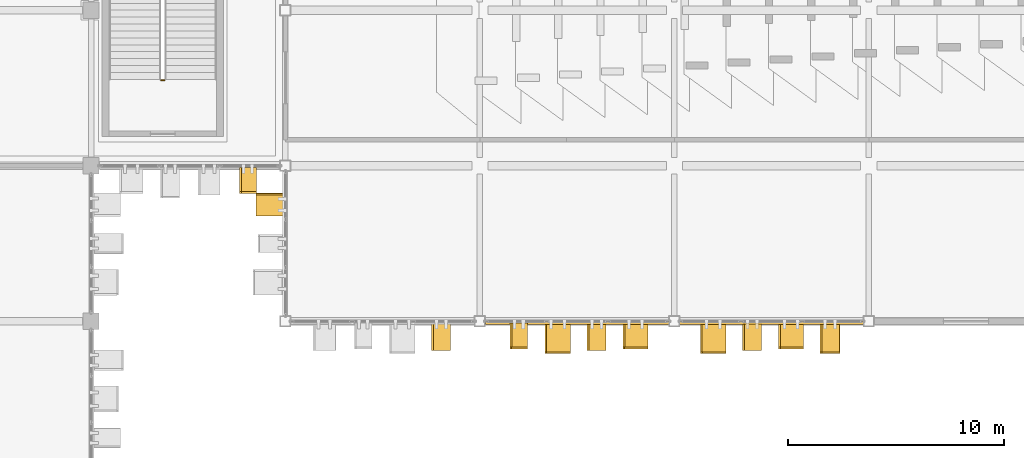
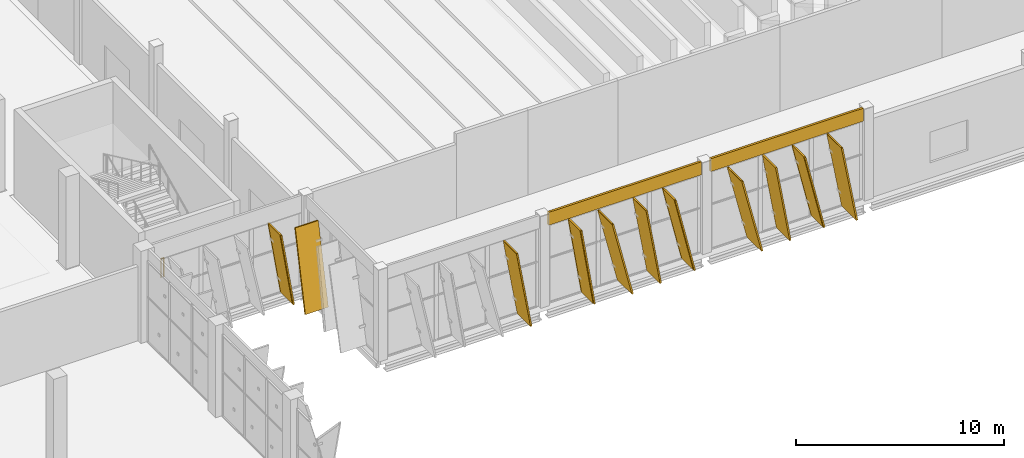
# One storey, part 175 of 189: 13 coverings, 11 shading devices, 1 railing.
"""IFC4 building model written with IfcOpenShell, lengths in metres."""

import ifcopenshell
import ifcopenshell.guid

model = None  # the IFC model being written
_history = None  # IfcOwnerHistory: only IFC2X3 demands one
_inside = {}  # id of a spatial element -> (the spatial element, [elements in it])
_under = {}  # id of a project, library or spatial element -> (it, [spatial elements below it])
_declared = {}  # id of a project -> (the project, [libraries it declares])
_typed = {}  # id of a type object -> (the type object, [elements of that type])
_made_of = {}  # id of a material, layer set ... -> (it, [elements and type objects made of it])


def new_model(schema):
    """Start an empty IFC model of exactly this schema.

    Asked for "IFC4X3", IfcOpenShell would pick the latest addendum, in which some entities
    have other attributes; the version numbers below select the first issue.
    IFC2X3 requires an IfcOwnerHistory on every rooted entity: one is made here for all.
    """
    global model, _history
    if schema == "IFC4X3":
        model = ifcopenshell.file(schema_version=(4, 3, 0, 0))
    else:
        model = ifcopenshell.file(schema=schema)
    _inside.clear()
    _under.clear()
    _declared.clear()
    _typed.clear()
    _made_of.clear()
    _history = None
    if model.schema == "IFC2X3":
        org = make("IfcOrganization", Name="unknown")
        user = make(
            "IfcPersonAndOrganization",
            ThePerson=make("IfcPerson", FamilyName="unknown"),
            TheOrganization=org,
        )
        app = make(
            "IfcApplication",
            ApplicationDeveloper=org,
            Version="unknown",
            ApplicationFullName="unknown",
            ApplicationIdentifier="unknown",
        )
        _history = make(
            "IfcOwnerHistory",
            OwningUser=user,
            OwningApplication=app,
            ChangeAction="ADDED",
            CreationDate=0,
        )
    return model


def make(cls, **values):
    """One entity of the class cls with the attributes given. An attribute that is None is left unset."""
    return model.create_entity(
        cls, **{name: value for name, value in values.items() if value is not None}
    )


def rooted(cls, **values):
    """An entity with a GlobalId (a new one), such as an element, a storey or a relation."""
    return make(cls, GlobalId=ifcopenshell.guid.new(), OwnerHistory=_history, **values)


def si_unit(unit_type, name, prefix=None):
    """IfcSIUnit, for example si_unit("LENGTHUNIT", "METRE", prefix="MILLI")."""
    return make("IfcSIUnit", UnitType=unit_type, Prefix=prefix, Name=name)


def assignment(units):
    """IfcUnitAssignment: the units of a project."""
    return None if units is None else make("IfcUnitAssignment", Units=units)


def point(xyz):
    """IfcCartesianPoint."""
    return None if xyz is None else make("IfcCartesianPoint", Coordinates=xyz)


def direction(xyz):
    """IfcDirection."""
    return None if xyz is None else make("IfcDirection", DirectionRatios=xyz)


def frame(location, z_axis=None, x_axis=None):
    """IfcAxis2Placement3D, a coordinate frame: its origin and axes. An axis left out is left unset."""
    return make(
        "IfcAxis2Placement3D",
        Location=point(location),
        Axis=direction(z_axis),
        RefDirection=direction(x_axis),
    )


def frame_2d(location, x_axis=None):
    """IfcAxis2Placement2D, a coordinate frame in the plane: its origin and x axis."""
    return make(
        "IfcAxis2Placement2D", Location=point(location), RefDirection=direction(x_axis)
    )


def origin():
    """The frame at (0, 0, 0) with its axes left unset."""
    return frame((0.0, 0.0, 0.0))


def origin_2d():
    """The frame at (0, 0) in the plane with its x axis left unset."""
    return frame_2d((0.0, 0.0))


def place(relative_to, where):
    """IfcLocalPlacement: puts the frame where relative to a parent placement (None: the world)."""
    return make(
        "IfcLocalPlacement", PlacementRelTo=relative_to, RelativePlacement=where
    )


def context(
    kind, dimensions, precision=None, world=None, true_north=None, identifier=None
):
    """IfcGeometricRepresentationContext, for example the 3D "Model" context."""
    return make(
        "IfcGeometricRepresentationContext",
        ContextIdentifier=identifier,
        ContextType=kind,
        CoordinateSpaceDimension=dimensions,
        Precision=precision,
        WorldCoordinateSystem=world,
        TrueNorth=true_north,
    )


def subcontext(parent, identifier, kind, view, scale=None):
    """IfcGeometricRepresentationSubContext, for example "Body" below "Model"."""
    return make(
        "IfcGeometricRepresentationSubContext",
        ContextIdentifier=identifier,
        ContextType=kind,
        ParentContext=parent,
        TargetScale=scale,
        TargetView=view,
    )


def project(units=None, contexts=None):
    """IfcProject with its units and contexts."""
    return rooted(
        "IfcProject",
        Name="project",
        RepresentationContexts=contexts,
        UnitsInContext=assignment(units),
    )


def spatial(cls, under=None, at=None, **own):
    """A site, building, storey or space (cls), placed at a placement, below another one or the project."""
    s = rooted(cls, ObjectPlacement=at, **own)
    if under is not None:
        _under.setdefault(under.id(), (under, []))[1].append(s)
    return s


def profile(cls, at=None, kind="AREA", **sizes):
    """A parametric profile (cls). Its sizes go by their IFC names, for example OverallWidth=200.0."""
    return make(cls, ProfileType=kind, Position=at, **sizes)


def rectangle(**sizes):
    """IfcRectangleProfileDef."""
    return profile("IfcRectangleProfileDef", **sizes)


def circle(**sizes):
    """IfcCircleProfileDef."""
    return profile("IfcCircleProfileDef", **sizes)


def extrude(swept, where, along, depth):
    """IfcExtrudedAreaSolid: the profile swept, set in the frame where, extruded along a direction by depth."""
    return make(
        "IfcExtrudedAreaSolid",
        SweptArea=swept,
        Position=where,
        ExtrudedDirection=direction(along),
        Depth=depth,
    )


def shape(context_of_items, identifier, shape_type, items):
    """IfcShapeRepresentation: the items that make up one representation, for example the "Body"."""
    return make(
        "IfcShapeRepresentation",
        ContextOfItems=context_of_items,
        RepresentationIdentifier=identifier,
        RepresentationType=shape_type,
        Items=items,
    )


def material(Name=None, Category=None):
    """IfcMaterial."""
    return make("IfcMaterial", Name=Name, Category=Category)


def layer(
    of_material, thickness, ventilated=None, Name=None, Category=None, Priority=None
):
    """IfcMaterialLayer: one layer of a wall or slab, of a material (None: an air gap)."""
    return make(
        "IfcMaterialLayer",
        Material=of_material,
        LayerThickness=thickness,
        IsVentilated=ventilated,
        Name=Name,
        Category=Category,
        Priority=Priority,
    )


def layer_set(layers, Name=None):
    """IfcMaterialLayerSet."""
    return make("IfcMaterialLayerSet", MaterialLayers=layers, LayerSetName=Name)


def material_profile(
    of_material, cross_section, Name=None, Category=None, Priority=None
):
    """IfcMaterialProfile: a cross section and its material."""
    return make(
        "IfcMaterialProfile",
        Name=Name,
        Material=of_material,
        Profile=cross_section,
        Priority=Priority,
        Category=Category,
    )


def profile_set(profiles, Name=None, composite=None):
    """IfcMaterialProfileSet."""
    return make(
        "IfcMaterialProfileSet",
        Name=Name,
        MaterialProfiles=profiles,
        CompositeProfile=composite,
    )


def made_of(thing, what):
    """Note that an element or type object is made of a material, layer set ...; save() writes the relation."""
    if what is not None:
        _made_of.setdefault(what.id(), (what, []))[1].append(thing)
    return thing


def type_object(cls, material=None, **own):
    """A type object (cls), such as IfcWallType, which elements share."""
    return made_of(rooted(cls, **own), material)


def element(
    cls,
    number,
    at=None,
    inside=None,
    cuts=None,
    type_object=None,
    material=None,
    context=None,
    identifier="Body",
    shape_type=None,
    held_by="IfcProductDefinitionShape",
    body=None,
    shapes=None,
    **own,
):
    """One element of the class cls, such as IfcWall. Its Tag is "e" and its number.

    at: its placement. inside: the storey or other place that contains it. cuts: it is an
    opening in that element (IfcRelVoidsElement). A single representation is given by context,
    identifier, shape_type and body (its items); several are given by shapes. held_by: the class
    of the entity that holds the representations. save() writes the other relations.
    """
    e = rooted(cls, Tag="e%d" % number, ObjectPlacement=at, **own)
    if body is not None:
        shapes = [shape(context, identifier, shape_type, body)]
    if shapes is not None:
        e.Representation = make(held_by, Representations=shapes)
    if inside is not None:
        _inside.setdefault(inside.id(), (inside, []))[1].append(e)
    if cuts is not None:
        rooted(
            "IfcRelVoidsElement", RelatingBuildingElement=cuts, RelatedOpeningElement=e
        )
    if type_object is not None:
        _typed.setdefault(type_object.id(), (type_object, []))[1].append(e)
    return made_of(e, material)


def aggregate(whole, parts):
    """IfcRelAggregates: a whole, such as a stair, and the parts it consists of."""
    return rooted("IfcRelAggregates", RelatingObject=whole, RelatedObjects=parts)


def save(model, path):
    """Write the relations noted so far, then the file.

    IfcRelAggregates (storeys below a building ...), IfcRelContainedInSpatialStructure (elements
    in a storey), IfcRelDefinesByType, IfcRelAssociatesMaterial and IfcRelDeclares: one each for
    every whole, place, type object, material and project.
    """
    for whole, parts in _under.values():
        aggregate(whole, parts)
    for where, things in _inside.values():
        rooted(
            "IfcRelContainedInSpatialStructure",
            RelatedElements=things,
            RelatingStructure=where,
        )
    for kind, things in _typed.values():
        rooted("IfcRelDefinesByType", RelatedObjects=things, RelatingType=kind)
    for what, things in _made_of.values():
        rooted("IfcRelAssociatesMaterial", RelatedObjects=things, RelatingMaterial=what)
    for by, libraries in _declared.values():
        rooted("IfcRelDeclares", RelatingContext=by, RelatedDefinitions=libraries)
    model.write(path)


model = new_model("IFC4")

# Units and contexts
model_context = context("Model", 3, precision=1e-05, world=origin(), true_north=direction((0.0, 1.0)))
body_context = subcontext(model_context, "Body", "Model", "MODEL_VIEW")
ifc_project = project(units=[si_unit("LENGTHUNIT", "METRE"), si_unit("AREAUNIT", "SQUARE_METRE"), si_unit("VOLUMEUNIT", "CUBIC_METRE"), si_unit("PLANEANGLEUNIT", "RADIAN"), si_unit("MASSUNIT", "GRAM", prefix="KILO")], contexts=[model_context])

# Site, building, storey
site_placement = place(None, origin())
site = spatial("IfcSite", under=ifc_project, at=site_placement, CompositionType="ELEMENT")
building_placement = place(site_placement, origin())
building = spatial("IfcBuilding", under=site, at=building_placement, Name="Celestram Park Convention Centre", CompositionType="ELEMENT")
storey_placement = place(building_placement, frame((0.0, 0.0, 5.39990234375)))
storey = spatial("IfcBuildingStorey", under=building, at=storey_placement, Name="L01", CompositionType="ELEMENT", Elevation=5.39990234375)

# Coverings
ifc_material_1 = material(Name="Anodised Bronze Aluminium Spandrel Cladding", Category="aluminium")
ifc_layer_1 = layer(ifc_material_1, 0.050048828125)
ifc_layer_set_1 = layer_set([ifc_layer_1], Name="Anodised Bronze Aluminium Spandrel Cladding")
covering_type_1 = type_object("IfcCoveringType", Name="ARC-COV-CLD060", PredefinedType="CLADDING", material=ifc_layer_set_1)
for number, where, z_axis, x_axis, name in (
    (1, (175.5, 115.1201171875, 4.64404296875), (0.0, 0.0, 1.0), (-1.0, 0.0, 0.0), "Bronze spandrel cladding CL-L01-081"),
    (2, (166.5, 115.1201171875, 4.64404296875), (0.0, 0.0, 1.0), (-1.0, 0.0, 0.0), "Bronze spandrel cladding CL-L01-082"),
):
    element("IfcCovering", number, at=place(storey_placement, frame(where, z_axis=z_axis, x_axis=x_axis)), inside=storey, type_object=covering_type_1, Name=name, PredefinedType="CLADDING", context=body_context, shape_type="SweptSolid", body=[
        extrude(rectangle(XDim=8.50390625, YDim=0.1201171875, at=origin_2d()), origin(), (0.0, 0.0, 1.0), 0.756103515625),
    ])
ifc_material_2 = material(Name="Timber-Toned Anodised Aluminium Alloy 6063-T6", Category="wood")
ifc_material_profile_1 = material_profile(ifc_material_2, rectangle(XDim=1.1201171875, YDim=0.090087890625, at=origin_2d()), Name="REED1120X90")
ifc_profile_set_1 = profile_set([ifc_material_profile_1], Name="Timber-Toned Anodised Aluminium Alloy 6063-T6")
covering_type_2 = type_object("IfcCoveringType", Name="ARC-COV-FIN1120", PredefinedType="CLADDING", material=ifc_profile_set_1)
covering_1_placement = place(storey_placement, frame((176.9345703125, 114.56005859375, 0.06787109375), z_axis=(-0.23170159766, 0.0, 0.97278690865), x_axis=(0.0, -1.0, 0.0)))
element("IfcCovering", 3, at=covering_1_placement, inside=storey, type_object=covering_type_2, Name="Leaning timber-toned reed fin RFN-L01-0239", PredefinedType="CLADDING", context=body_context, shape_type="SweptSolid", body=[
    extrude(rectangle(XDim=1.1201171875, YDim=0.090087890625, at=origin_2d()), origin(), (0.0, 0.0, 1.0), 4.614013671875),
])
covering_2_placement = place(storey_placement, frame((169.734619140625, 114.56005859375, 0.06787109375), z_axis=(-0.231751668114, 0.0, 0.972774981343), x_axis=(0.0, -1.0, 0.0)))
element("IfcCovering", 4, at=covering_2_placement, inside=storey, type_object=covering_type_2, Name="Leaning timber-toned reed fin RFN-L01-0242", PredefinedType="CLADDING", context=body_context, shape_type="SweptSolid", body=[
    extrude(rectangle(XDim=1.1201171875, YDim=0.090087890625, at=origin_2d()), origin(), (0.0, 0.0, 1.0), 4.6142578125),
])
covering_3_placement = place(storey_placement, frame((164.168701171875, 114.56005859375, 0.034912109375), z_axis=(-0.159857948369, 0.0, 0.987140028741), x_axis=(0.0, -1.0, 0.0)))
element("IfcCovering", 5, at=covering_3_placement, inside=storey, type_object=covering_type_2, Name="Leaning timber-toned reed fin RFN-L01-0245", PredefinedType="CLADDING", context=body_context, shape_type="SweptSolid", body=[
    extrude(rectangle(XDim=1.1201171875, YDim=0.090087890625, at=origin_2d()), origin(), (0.0, 0.0, 1.0), 4.61376953125),
])
covering_4_placement = place(storey_placement, frame((151.61083984375, 121.760009765625, 0.033203125), z_axis=(-0.159882320906, 0.0, 0.987136081532), x_axis=(0.0, -1.0, 0.0)))
element("IfcCovering", 6, at=covering_4_placement, inside=storey, type_object=covering_type_2, Name="Leaning timber-toned reed fin RFN-L01-0253", PredefinedType="CLADDING", context=body_context, shape_type="SweptSolid", body=[
    extrude(rectangle(XDim=1.1201171875, YDim=0.090087890625, at=origin_2d()), origin(), (0.0, 0.0, 1.0), 4.358154296875),
])
ifc_material_profile_2 = material_profile(ifc_material_2, rectangle(XDim=1.280029296875, YDim=0.090087890625, at=origin_2d()), Name="REED1280X90")
ifc_profile_set_2 = profile_set([ifc_material_profile_2], Name="Timber-Toned Anodised Aluminium Alloy 6063-T6")
covering_type_3 = type_object("IfcCoveringType", Name="ARC-COV-FIN1280", PredefinedType="CLADDING", material=ifc_profile_set_2)
for number, where, z_axis, x_axis, name in (
    (7, (174.99267578125, 114.47998046875, 0.038818359375), (-0.170222310594, 0.0, 0.98540568548), (0.0, -1.0, 0.0), "Leaning timber-toned reed fin RFN-L01-0240"),
    (8, (167.792724609375, 114.47998046875, 0.038818359375), (-0.170222310594, 0.0, 0.98540568548), (0.0, -1.0, 0.0), "Leaning timber-toned reed fin RFN-L01-0243"),
    (9, (160.5927734375, 114.47998046875, 0.038818359375), (-0.170222310594, 0.0, 0.98540568548), (0.0, -1.0, 0.0), "Leaning timber-toned reed fin RFN-L01-0246"),
    (10, (152.280029296875, 120.116455078125, 0.056396484375), (0.0, 0.209590519643, 0.977789248292), (-1.0, 0.0, 0.0), "Leaning timber-toned reed fin RFN-L01-0252"),
):
    element("IfcCovering", number, at=place(storey_placement, frame(where, z_axis=z_axis, x_axis=x_axis)), inside=storey, type_object=covering_type_3, Name=name, PredefinedType="CLADDING", context=body_context, shape_type="SweptSolid", body=[
        extrude(rectangle(XDim=1.280029296875, YDim=0.090087890625, at=origin_2d()), origin(), (0.0, 0.0, 1.0), 4.614013671875),
    ])
ifc_material_profile_3 = material_profile(ifc_material_2, rectangle(XDim=1.419921875, YDim=0.090087890625, at=origin_2d()), Name="REED1420X90")
ifc_profile_set_3 = profile_set([ifc_material_profile_3], Name="Timber-Toned Anodised Aluminium Alloy 6063-T6")
covering_type_4 = type_object("IfcCoveringType", Name="ARC-COV-FIN1420", PredefinedType="CLADDING", material=ifc_profile_set_3)
covering_5_placement = place(storey_placement, frame((178.616455078125, 114.409912109375, 0.04296875), z_axis=(-0.180533481126, 0.0, 0.98356883958), x_axis=(0.0, -1.0, 0.0)))
element("IfcCovering", 11, at=covering_5_placement, inside=storey, type_object=covering_type_4, Name="Leaning timber-toned reed fin RFN-L01-0238", PredefinedType="CLADDING", context=body_context, shape_type="SweptSolid", body=[
    extrude(rectangle(XDim=1.419921875, YDim=0.090087890625, at=origin_2d()), origin(), (0.0, 0.0, 1.0), 4.6142578125),
])
for number, where, z_axis, x_axis, name in (
    (12, (173.350341796875, 114.409912109375, 0.07177734375), (-0.238536992312, 0.0, 0.971133411689), (0.0, -1.0, 0.0), "Leaning timber-toned reed fin RFN-L01-0241"),
    (13, (166.150390625, 114.409912109375, 0.07177734375), (-0.238536992312, 0.0, 0.971133411689), (0.0, -1.0, 0.0), "Leaning timber-toned reed fin RFN-L01-0244"),
):
    element("IfcCovering", number, at=place(storey_placement, frame(where, z_axis=z_axis, x_axis=x_axis)), inside=storey, type_object=covering_type_4, Name=name, PredefinedType="CLADDING", context=body_context, shape_type="SweptSolid", body=[
        extrude(rectangle(XDim=1.419921875, YDim=0.090087890625, at=origin_2d()), origin(), (0.0, 0.0, 1.0), 4.614013671875),
    ])

# Shading devices
ifc_material_3 = material(Name="Anodised Bronze Aluminium Alloy 6063-T6", Category="aluminium")
ifc_material_profile_4 = material_profile(ifc_material_3, rectangle(XDim=1.280029296875, YDim=0.080078125, at=origin_2d()), Name="FIN1280X80")
ifc_profile_set_4 = profile_set([ifc_material_profile_4], Name="Anodised Bronze Aluminium Alloy 6063-T6")
shading_device_type = type_object("IfcShadingDeviceType", Name="ARC-FIN-BZ1280", PredefinedType="USERDEFINED", material=ifc_profile_set_4)
shading_device_1_placement = place(storey_placement, frame((178.616455078125, 114.409912109375, 0.04296875), z_axis=(-0.180533481126, 0.0, 0.98356883958), x_axis=(0.0, -1.0, 0.0)))
element("IfcShadingDevice", 14, at=shading_device_1_placement, inside=storey, type_object=shading_device_type, Name="Expressive solar fin FN-L01-0238", ObjectType="SOLAR_FIN", PredefinedType="USERDEFINED", context=body_context, shape_type="SweptSolid", body=[
    extrude(rectangle(XDim=1.280029296875, YDim=0.080078125, at=origin_2d()), origin(), (0.0, 0.0, 1.0), 4.6142578125),
])
for number, where, z_axis, x_axis, name in (
    (15, (176.9345703125, 114.56005859375, 0.06787109375), (-0.23170159766, 0.0, 0.97278690865), (0.0, -1.0, 0.0), "Expressive solar fin FN-L01-0239"),
    (16, (174.99267578125, 114.47998046875, 0.038818359375), (-0.170222310594, 0.0, 0.98540568548), (0.0, -1.0, 0.0), "Expressive solar fin FN-L01-0240"),
    (17, (173.350341796875, 114.409912109375, 0.07177734375), (-0.238536992312, 0.0, 0.971133411689), (0.0, -1.0, 0.0), "Expressive solar fin FN-L01-0241"),
):
    element("IfcShadingDevice", number, at=place(storey_placement, frame(where, z_axis=z_axis, x_axis=x_axis)), inside=storey, type_object=shading_device_type, Name=name, ObjectType="SOLAR_FIN", PredefinedType="USERDEFINED", context=body_context, shape_type="SweptSolid", body=[
        extrude(rectangle(XDim=1.280029296875, YDim=0.080078125, at=origin_2d()), origin(), (0.0, 0.0, 1.0), 4.614013671875),
    ])
shading_device_2_placement = place(storey_placement, frame((169.734619140625, 114.56005859375, 0.06787109375), z_axis=(-0.231751668114, 0.0, 0.972774981343), x_axis=(0.0, -1.0, 0.0)))
element("IfcShadingDevice", 18, at=shading_device_2_placement, inside=storey, type_object=shading_device_type, Name="Expressive solar fin FN-L01-0242", ObjectType="SOLAR_FIN", PredefinedType="USERDEFINED", context=body_context, shape_type="SweptSolid", body=[
    extrude(rectangle(XDim=1.280029296875, YDim=0.080078125, at=origin_2d()), origin(), (0.0, 0.0, 1.0), 4.6142578125),
])
for number, where, z_axis, x_axis, name in (
    (19, (167.792724609375, 114.47998046875, 0.038818359375), (-0.170222310594, 0.0, 0.98540568548), (0.0, -1.0, 0.0), "Expressive solar fin FN-L01-0243"),
    (20, (166.150390625, 114.409912109375, 0.07177734375), (-0.238536992312, 0.0, 0.971133411689), (0.0, -1.0, 0.0), "Expressive solar fin FN-L01-0244"),
):
    element("IfcShadingDevice", number, at=place(storey_placement, frame(where, z_axis=z_axis, x_axis=x_axis)), inside=storey, type_object=shading_device_type, Name=name, ObjectType="SOLAR_FIN", PredefinedType="USERDEFINED", context=body_context, shape_type="SweptSolid", body=[
        extrude(rectangle(XDim=1.280029296875, YDim=0.080078125, at=origin_2d()), origin(), (0.0, 0.0, 1.0), 4.614013671875),
    ])
shading_device_3_placement = place(storey_placement, frame((164.168701171875, 114.56005859375, 0.034912109375), z_axis=(-0.159857948369, 0.0, 0.987140028741), x_axis=(0.0, -1.0, 0.0)))
element("IfcShadingDevice", 21, at=shading_device_3_placement, inside=storey, type_object=shading_device_type, Name="Expressive solar fin FN-L01-0245", ObjectType="SOLAR_FIN", PredefinedType="USERDEFINED", context=body_context, shape_type="SweptSolid", body=[
    extrude(rectangle(XDim=1.280029296875, YDim=0.080078125, at=origin_2d()), origin(), (0.0, 0.0, 1.0), 4.61376953125),
])
for number, where, z_axis, x_axis, name in (
    (22, (160.5927734375, 114.47998046875, 0.038818359375), (-0.170222310594, 0.0, 0.98540568548), (0.0, -1.0, 0.0), "Expressive solar fin FN-L01-0246"),
    (23, (152.280029296875, 120.116455078125, 0.056396484375), (0.0, 0.209590519643, 0.977789248292), (-1.0, 0.0, 0.0), "Expressive solar fin FN-L01-0252"),
):
    element("IfcShadingDevice", number, at=place(storey_placement, frame(where, z_axis=z_axis, x_axis=x_axis)), inside=storey, type_object=shading_device_type, Name=name, ObjectType="SOLAR_FIN", PredefinedType="USERDEFINED", context=body_context, shape_type="SweptSolid", body=[
        extrude(rectangle(XDim=1.280029296875, YDim=0.080078125, at=origin_2d()), origin(), (0.0, 0.0, 1.0), 4.614013671875),
    ])
shading_device_4_placement = place(storey_placement, frame((151.61083984375, 121.760009765625, 0.033203125), z_axis=(-0.159882320906, 0.0, 0.987136081532), x_axis=(0.0, -1.0, 0.0)))
element("IfcShadingDevice", 24, at=shading_device_4_placement, inside=storey, type_object=shading_device_type, Name="Expressive solar fin FN-L01-0253", ObjectType="SOLAR_FIN", PredefinedType="USERDEFINED", context=body_context, shape_type="SweptSolid", body=[
    extrude(rectangle(XDim=1.280029296875, YDim=0.080078125, at=origin_2d()), origin(), (0.0, 0.0, 1.0), 4.358154296875),
])

# Railing
ifc_material_4 = material(Name="Stainless Steel AISI 316L & Laminated Glass", Category="steel")
ifc_layer_2 = layer(ifc_material_4, 0.06005859375)
ifc_layer_set_2 = layer_set([ifc_layer_2], Name="Stainless Steel AISI 316L & Laminated Glass")
railing_type = type_object("IfcRailingType", Name="ARC-RL-GRD1120", PredefinedType="GUARDRAIL", material=ifc_layer_set_2)
railing_placement = place(storey_placement, frame((147.39990234375, 126.35009765625, 0.0)))
element("IfcRailing", 25, at=railing_placement, inside=storey, type_object=railing_type, Name="L01 ST-10 stair guard 4", PredefinedType="GUARDRAIL", context=body_context, shape_type="SweptSolid", body=[
    extrude(circle(Radius=0.02392578125, at=origin_2d()), frame((0.0, 0.0, 1.09619140625), z_axis=(-1.0, 0.0, 0.0), x_axis=(0.0, -1.0, 0.0)), (0.0, 0.0, 1.0), 0.159912109375),
    extrude(circle(Radius=0.02099609375, at=origin_2d()), origin(), (0.0, 0.0, 1.0), 1.072021484375),
    extrude(circle(Radius=0.02099609375, at=origin_2d()), frame((-0.159912109375, 0.0, 0.0)), (0.0, 0.0, 1.0), 1.072021484375),
])

save(model, "model.ifc")
